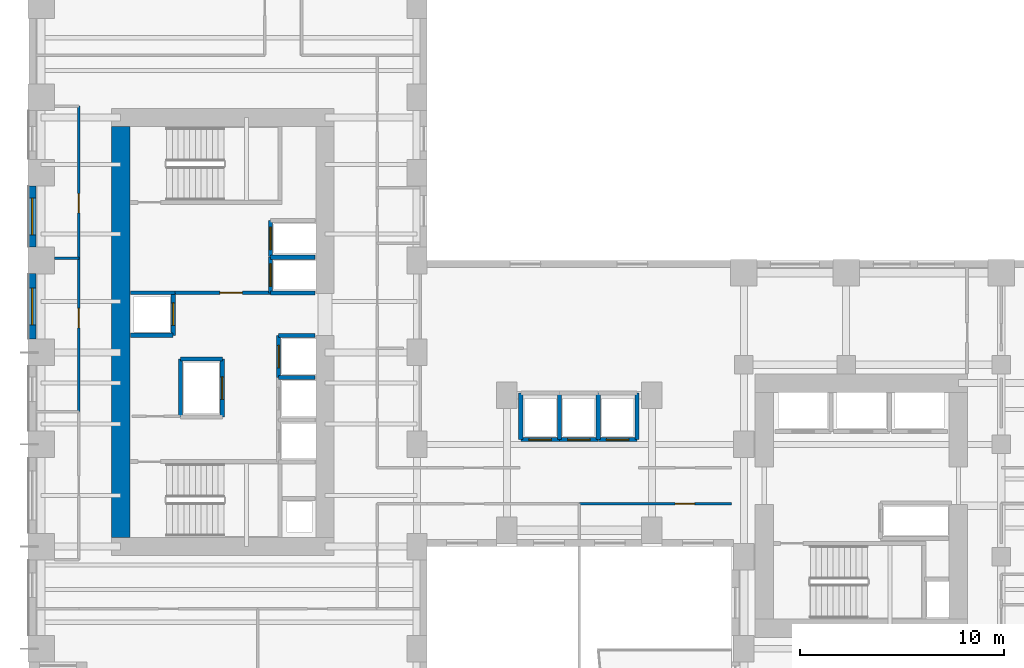
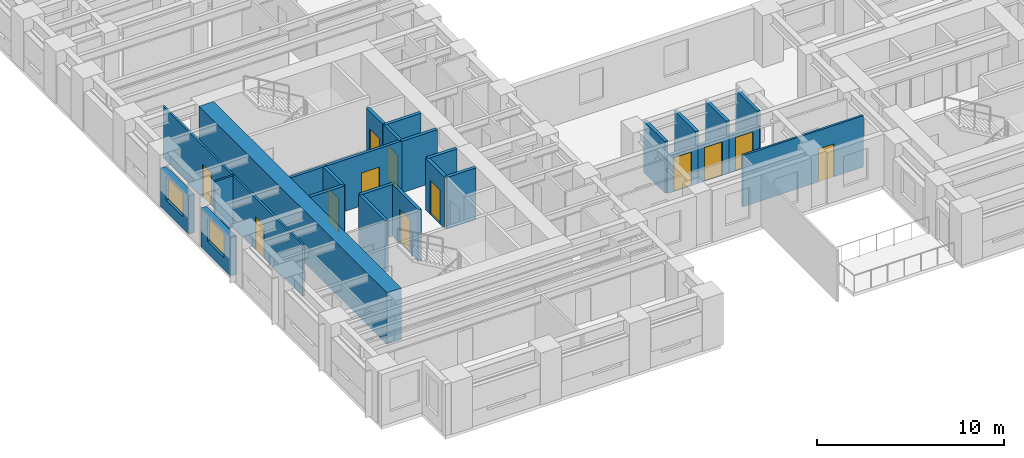
# One storey, part 5 of 13: 28 walls, 12 doors, 2 windows, 14 openings.
"""IFC4 building model written with IfcOpenShell, lengths in metres."""

from ifc_helpers import new_model, si_unit, direction, frame, frame_2d, origin, place, context, subcontext, project, spatial, rectangle, extrude, source, transform, mapped, material, layer, layer_set, type_object, element, fill, save


model = new_model("IFC4")

# Units and contexts
model_context = context("Model", 3, precision=1e-05, world=origin(), true_north=direction((0.0, 1.0)))
body_context = subcontext(model_context, "Body", "Model", "MODEL_VIEW")
ifc_project = project(units=[si_unit("LENGTHUNIT", "METRE"), si_unit("AREAUNIT", "SQUARE_METRE"), si_unit("VOLUMEUNIT", "CUBIC_METRE"), si_unit("PLANEANGLEUNIT", "RADIAN"), si_unit("MASSUNIT", "GRAM", prefix="KILO")], contexts=[model_context])

# Site, building, storey
site_placement = place(None, origin())
site = spatial("IfcSite", under=ifc_project, at=site_placement, CompositionType="ELEMENT")
building_placement = place(site_placement, origin())
building = spatial("IfcBuilding", under=site, at=building_placement, Name="Kharzan Plaza Tower", CompositionType="ELEMENT")
storey_placement = place(building_placement, frame((0.0, 0.0, 47.699951171875)))
storey = spatial("IfcBuildingStorey", under=building, at=storey_placement, Name="L12", CompositionType="ELEMENT", Elevation=47.699951171875)

# Wall, opening, window
ifc_material_1 = material(Name="Concrete C40/50", Category="concrete")
ifc_layer_1 = layer(ifc_material_1, 0.35009765625)
ifc_layer_set_1 = layer_set([ifc_layer_1], Name="Concrete C40/50")
wall_type_1 = type_object("IfcWallType", Name="WL-EXT-MAS-Z1", PredefinedType="SOLIDWALL", material=ifc_layer_set_1)
wall_1_placement = place(storey_placement, frame((0.175048828125, 26.152099609375, 0.0), z_axis=(0.0, 0.0, 1.0), x_axis=(0.0, -1.0, 0.0)))
wall_1 = element("IfcWall", 1, at=wall_1_placement, inside=storey, type_object=wall_type_1, Name="L12 Masonry-Frame Exterior Wall 15", PredefinedType="SOLIDWALL", context=body_context, shape_type="SweptSolid", body=[
    extrude(rectangle(XDim=3.004150390625, YDim=0.35009765625, at=frame_2d((1.501953125, 0.0))), origin(), (0.0, 0.0, 1.0), 2.510009765625),
])
opening_1_placement = place(wall_1_placement, frame((0.60205078125, 0.0, 0.780029296875)))
opening_1 = element("IfcOpeningElement", 2, at=opening_1_placement, cuts=wall_1, Name="Opening W1", PredefinedType="OPENING", context=body_context, shape_type="SweptSolid", body=[
    extrude(rectangle(XDim=1.800048828125, YDim=1.550048828125, at=frame_2d((0.89990234375, 0.77490234375))), frame((0.0, 0.18505859375, 0.0), z_axis=(0.0, -1.0, 0.0), x_axis=(1.0, 0.0, 0.0)), (0.0, 0.0, 1.0), 0.3701171875),
])
ifc_material_2 = material(Name="Low-E Double Glazing", Category="glass")
window_type = type_object("IfcWindowType", Name="WN-REC-1800x2100", PartitioningType="SINGLE_PANEL", PredefinedType="WINDOW", material=ifc_material_2)
shared_shape_1 = source(origin(), body_context, "Body", "SweptSolid", [
    extrude(rectangle(XDim=1.800048828125, YDim=1.550048828125, at=frame_2d((0.89990234375, 0.77490234375))), frame((0.0, 0.030029296875, 0.0), z_axis=(0.0, -1.0, 0.0), x_axis=(1.0, 0.0, 0.0)), (0.0, 0.0, 1.0), 0.06005859375),
])
window_1_placement = place(opening_1_placement, origin())
window_1 = element("IfcWindow", 3, at=window_1_placement, inside=storey, type_object=window_type, Name="L12 Recessed Solar-Control Window 15-1", OverallHeight=1.550048828125, OverallWidth=1.800048828125, PartitioningType="SINGLE_PANEL", PredefinedType="WINDOW", context=body_context, shape_type="MappedRepresentation", body=[
    mapped(shared_shape_1, transform((0.0, 0.0, 0.0), x_axis=(1.0, 0.0, 0.0), y_axis=(0.0, 1.0, 0.0), z_axis=(0.0, 0.0, 1.0))),
])
fill(opening_1, window_1)

wall_2_placement = place(storey_placement, frame((0.175048828125, 21.85205078125, 0.0), z_axis=(0.0, 0.0, 1.0), x_axis=(0.0, -1.0, 0.0)))
wall_2 = element("IfcWall", 4, at=wall_2_placement, inside=storey, type_object=wall_type_1, Name="L12 Masonry-Frame Exterior Wall 16", PredefinedType="SOLIDWALL", context=body_context, shape_type="SweptSolid", body=[
    extrude(rectangle(XDim=3.2041015625, YDim=0.35009765625, at=frame_2d((1.60205078125, 0.0))), origin(), (0.0, 0.0, 1.0), 2.510009765625),
])
opening_2_placement = place(wall_2_placement, frame((0.701904296875, 0.0, 0.780029296875)))
opening_2 = element("IfcOpeningElement", 5, at=opening_2_placement, cuts=wall_2, Name="Opening W1", PredefinedType="OPENING", context=body_context, shape_type="SweptSolid", body=[
    extrude(rectangle(XDim=1.800048828125, YDim=1.550048828125, at=frame_2d((0.89990234375, 0.77490234375))), frame((0.0, 0.18505859375, 0.0), z_axis=(0.0, -1.0, 0.0), x_axis=(1.0, 0.0, 0.0)), (0.0, 0.0, 1.0), 0.3701171875),
])
window_2_placement = place(opening_2_placement, origin())
window_2 = element("IfcWindow", 6, at=window_2_placement, inside=storey, type_object=window_type, Name="L12 Recessed Solar-Control Window 16-1", OverallHeight=1.550048828125, OverallWidth=1.800048828125, PartitioningType="SINGLE_PANEL", PredefinedType="WINDOW", context=body_context, shape_type="MappedRepresentation", body=[
    mapped(shared_shape_1, transform((0.0, 0.0, 0.0), x_axis=(1.0, 0.0, 0.0), y_axis=(0.0, 1.0, 0.0), z_axis=(0.0, 0.0, 1.0))),
])
fill(opening_2, window_2)

# Wall, opening, door
ifc_layer_2 = layer(ifc_material_1, 0.179931640625)
ifc_layer_set_2 = layer_set([ifc_layer_2], Name="Concrete C40/50")
wall_type_2 = type_object("IfcWallType", Name="WL-INT-FIRE-180", PredefinedType="PARTITIONING", material=ifc_layer_set_2)
wall_3_placement = place(storey_placement, frame((7.14990234375, 20.919921875, 0.0), z_axis=(0.0, 0.0, 1.0), x_axis=(1.0, 0.0, 0.0)))
wall_3 = element("IfcWall", 7, at=wall_3_placement, inside=storey, type_object=wall_type_2, Name="L12 Interior Partition CA-FF-S", PredefinedType="PARTITIONING", context=body_context, shape_type="SweptSolid", body=[
    extrude(rectangle(XDim=4.68017578125, YDim=0.179931640625, at=frame_2d((2.340087890625, 0.0))), origin(), (0.0, 0.0, 1.0), 3.364990234375),
])
opening_3_placement = place(wall_3_placement, frame((2.199951171875, 0.0, 0.0)))
opening_3 = element("IfcOpeningElement", 8, at=opening_3_placement, cuts=wall_3, Name="Opening FD1", PredefinedType="OPENING", context=body_context, shape_type="SweptSolid", body=[
    extrude(rectangle(XDim=1.10009765625, YDim=2.14990234375, at=frame_2d((0.550048828125, 1.074951171875))), frame((0.0, 0.099853515625, 0.0), z_axis=(0.0, -1.0, 0.0), x_axis=(1.0, 0.0, 0.0)), (0.0, 0.0, 1.0), 0.199951171875),
])
ifc_material_3 = material(Name="Fire-Rated Acoustic Vision-Panel Steel", Category="steel")
door_type_1 = type_object("IfcDoorType", Name="DR-FIRE-LOBBY", OperationType="NOTDEFINED", PredefinedType="DOOR", material=ifc_material_3)
shared_shape_2 = source(origin(), body_context, "Body", "SweptSolid", [
    extrude(rectangle(XDim=1.10009765625, YDim=2.14990234375, at=frame_2d((0.550048828125, 1.074951171875))), frame((0.0, 0.02490234375, 0.0), z_axis=(0.0, -1.0, 0.0), x_axis=(1.0, 0.0, 0.0)), (0.0, 0.0, 1.0), 0.050048828125),
])
door_1_placement = place(opening_3_placement, origin())
door_1 = element("IfcDoor", 9, at=door_1_placement, inside=storey, type_object=door_type_1, Name="L12 Firefighting Lobby Door", OperationType="SINGLE_SWING_RIGHT", OverallHeight=2.14990234375, OverallWidth=1.10009765625, PredefinedType="DOOR", context=body_context, shape_type="MappedRepresentation", body=[
    mapped(shared_shape_2, transform((0.0, 0.0, 0.0), x_axis=(1.0, 0.0, 0.0), y_axis=(0.0, 1.0, 0.0), z_axis=(0.0, 0.0, 1.0))),
])
fill(opening_3, door_1)

ifc_material_4 = material(Name="Fire-Rated Gypsum Board Partition", Category="gypsum")
ifc_layer_3 = layer(ifc_material_4, 0.125)
ifc_layer_set_3 = layer_set([ifc_layer_3], Name="Fire-Rated Gypsum Board Partition")
wall_type_3 = type_object("IfcWallType", Name="WL-INT-PART-125", PredefinedType="PARTITIONING", material=ifc_layer_set_3)
wall_4_placement = place(storey_placement, frame((26.949951171875, 10.60009765625, 0.0), z_axis=(0.0, 0.0, 1.0), x_axis=(1.0, 0.0, 0.0)))
wall_4 = element("IfcWall", 10, at=wall_4_placement, inside=storey, type_object=wall_type_3, Name="L12 Interior Partition SH-SPS2", PredefinedType="PARTITIONING", context=body_context, shape_type="SweptSolid", body=[
    extrude(rectangle(XDim=7.449951171875, YDim=0.125, at=frame_2d((3.72509765625, 0.0))), origin(), (0.0, 0.0, 1.0), 3.364990234375),
])
opening_4_placement = place(wall_4_placement, frame((4.6826171875, 0.0, 0.0)))
opening_4 = element("IfcOpeningElement", 11, at=opening_4_placement, cuts=wall_4, Name="Opening OD1", PredefinedType="OPENING", context=body_context, shape_type="SweptSolid", body=[
    extrude(rectangle(XDim=0.949951171875, YDim=2.14990234375, at=frame_2d((0.47509765625, 1.074951171875))), frame((0.0, 0.072509765625, 0.0), z_axis=(0.0, -1.0, 0.0), x_axis=(1.0, 0.0, 0.0)), (0.0, 0.0, 1.0), 0.14501953125),
])
ifc_material_5 = material(Name="Acoustic Solid-Core Stained Oak", Category="timber")
door_type_2 = type_object("IfcDoorType", Name="DR-OFF-SINGLE", OperationType="NOTDEFINED", PredefinedType="DOOR", material=ifc_material_5)
shared_shape_3 = source(origin(), body_context, "Body", "SweptSolid", [
    extrude(rectangle(XDim=0.949951171875, YDim=2.14990234375, at=frame_2d((0.47509765625, 1.074951171875))), frame((0.0, 0.02490234375, 0.0), z_axis=(0.0, -1.0, 0.0), x_axis=(1.0, 0.0, 0.0)), (0.0, 0.0, 1.0), 0.050048828125),
])
door_2_placement = place(opening_4_placement, origin())
door_2 = element("IfcDoor", 12, at=door_2_placement, inside=storey, type_object=door_type_2, Name="L12 South Spine East Door", OperationType="SINGLE_SWING_RIGHT", OverallHeight=2.14990234375, OverallWidth=0.949951171875, PredefinedType="DOOR", context=body_context, shape_type="MappedRepresentation", body=[
    mapped(shared_shape_3, transform((0.0, 0.0, 0.0), x_axis=(1.0, 0.0, 0.0), y_axis=(0.0, 1.0, 0.0), z_axis=(0.0, 0.0, 1.0))),
])
fill(opening_4, door_2)

wall_5_placement = place(storey_placement, frame((2.449951171875, 15.10009765625, 0.0), z_axis=(0.0, 0.0, 1.0), x_axis=(0.0, 1.0, 0.0)))
wall_5 = element("IfcWall", 13, at=wall_5_placement, inside=storey, type_object=wall_type_3, Name="L12 Interior Partition SH-WW-2", PredefinedType="PARTITIONING", context=body_context, shape_type="SweptSolid", body=[
    extrude(rectangle(XDim=7.5, YDim=0.125, at=frame_2d((3.75, 0.0))), origin(), (0.0, 0.0, 1.0), 3.364990234375),
])
opening_5_placement = place(wall_5_placement, frame((4.100341796875, 0.0, 0.0)))
opening_5 = element("IfcOpeningElement", 14, at=opening_5_placement, cuts=wall_5, Name="Opening OD1", PredefinedType="OPENING", context=body_context, shape_type="SweptSolid", body=[
    extrude(rectangle(XDim=0.949951171875, YDim=2.14990234375, at=frame_2d((0.47509765625, 1.074951171875))), frame((0.0, 0.072509765625, 0.0), z_axis=(0.0, -1.0, 0.0), x_axis=(1.0, 0.0, 0.0)), (0.0, 0.0, 1.0), 0.14501953125),
])
door_3_placement = place(opening_5_placement, origin())
door_3 = element("IfcDoor", 15, at=door_3_placement, inside=storey, type_object=door_type_2, Name="L12 Project Controls Office Door", OperationType="SINGLE_SWING_RIGHT", OverallHeight=2.14990234375, OverallWidth=0.949951171875, PredefinedType="DOOR", context=body_context, shape_type="MappedRepresentation", body=[
    mapped(shared_shape_3, transform((0.0, 0.0, 0.0), x_axis=(1.0, 0.0, 0.0), y_axis=(0.0, 1.0, 0.0), z_axis=(0.0, 0.0, 1.0))),
])
fill(opening_5, door_3)

wall_6_placement = place(storey_placement, frame((2.449951171875, 22.60009765625, 0.0), z_axis=(0.0, 0.0, 1.0), x_axis=(0.0, 1.0, 0.0)))
wall_6 = element("IfcWall", 16, at=wall_6_placement, inside=storey, type_object=wall_type_3, Name="L12 Interior Partition SH-WW-3", PredefinedType="PARTITIONING", context=body_context, shape_type="SweptSolid", body=[
    extrude(rectangle(XDim=7.449951171875, YDim=0.125, at=frame_2d((3.72509765625, 0.0))), origin(), (0.0, 0.0, 1.0), 3.364990234375),
])
opening_6_placement = place(wall_6_placement, frame((2.226806640625, 0.0, 0.0)))
opening_6 = element("IfcOpeningElement", 17, at=opening_6_placement, cuts=wall_6, Name="Opening OD1", PredefinedType="OPENING", context=body_context, shape_type="SweptSolid", body=[
    extrude(rectangle(XDim=0.949951171875, YDim=2.14990234375, at=frame_2d((0.47509765625, 1.074951171875))), frame((0.0, 0.072509765625, 0.0), z_axis=(0.0, -1.0, 0.0), x_axis=(1.0, 0.0, 0.0)), (0.0, 0.0, 1.0), 0.14501953125),
])
door_4_placement = place(opening_6_placement, origin())
door_4 = element("IfcDoor", 18, at=door_4_placement, inside=storey, type_object=door_type_2, Name="L12 Design Review Briefing Room Door", OperationType="SINGLE_SWING_LEFT", OverallHeight=2.14990234375, OverallWidth=0.949951171875, PredefinedType="DOOR", context=body_context, shape_type="MappedRepresentation", body=[
    mapped(shared_shape_3, transform((0.0, 0.0, 0.0), x_axis=(1.0, 0.0, 0.0), y_axis=(0.0, 1.0, 0.0), z_axis=(0.0, 0.0, 1.0))),
])
fill(opening_6, door_4)

ifc_layer_4 = layer(ifc_material_1, 0.199951171875)
ifc_layer_set_4 = layer_set([ifc_layer_4], Name="Concrete C40/50")
wall_type_4 = type_object("IfcWallType", Name="WL-INT-SHAFT-200", PredefinedType="PARTITIONING", material=ifc_layer_set_4)
wall_7_placement = place(storey_placement, frame((11.830078125, 20.89990234375, 0.0), z_axis=(0.0, 0.0, 1.0), x_axis=(0.0, 1.0, 0.0)))
wall_7 = element("IfcWall", 19, at=wall_7_placement, inside=storey, type_object=wall_type_4, Name="L12 Interior Partition SHF-FFL-1-W", PredefinedType="PARTITIONING", context=body_context, shape_type="SweptSolid", body=[
    extrude(rectangle(XDim=1.760009765625, YDim=0.199951171875, at=frame_2d((0.8798828125, 0.0))), origin(), (0.0, 0.0, 1.0), 3.364990234375),
])
opening_7_placement = place(wall_7_placement, frame((0.330078125, 0.0, 0.0)))
opening_7 = element("IfcOpeningElement", 20, at=opening_7_placement, cuts=wall_7, Name="Opening LD", PredefinedType="OPENING", context=body_context, shape_type="SweptSolid", body=[
    extrude(rectangle(XDim=1.10009765625, YDim=2.199951171875, at=frame_2d((0.550048828125, 1.10009765625))), frame((0.0, 0.10986328125, 0.0), z_axis=(0.0, -1.0, 0.0), x_axis=(1.0, 0.0, 0.0)), (0.0, 0.0, 1.0), 0.219970703125),
])
ifc_material_6 = material(Name="Brushed Stainless Steel", Category="steel")
door_type_3 = type_object("IfcDoorType", Name="DR-LIFT-SLIDE", OperationType="SLIDING_TO_LEFT", PredefinedType="DOOR", material=ifc_material_6)
shared_shape_4 = source(origin(), body_context, "Body", "SweptSolid", [
    extrude(rectangle(XDim=1.10009765625, YDim=2.199951171875, at=frame_2d((0.550048828125, 1.10009765625))), frame((0.0, 0.02490234375, 0.0), z_axis=(0.0, -1.0, 0.0), x_axis=(1.0, 0.0, 0.0)), (0.0, 0.0, 1.0), 0.050048828125),
])
door_5_placement = place(opening_7_placement, origin())
door_5 = element("IfcDoor", 21, at=door_5_placement, inside=storey, type_object=door_type_3, Name="L12 Firefighting Lift FFL-1 Sliding Landing Door", OperationType="SLIDING_TO_LEFT", OverallHeight=2.199951171875, OverallWidth=1.10009765625, PredefinedType="DOOR", context=body_context, shape_type="MappedRepresentation", body=[
    mapped(shared_shape_4, transform((0.0, 0.0, 0.0), x_axis=(1.0, 0.0, 0.0), y_axis=(0.0, 1.0, 0.0), z_axis=(0.0, 0.0, 1.0))),
])
fill(opening_7, door_5)

wall_8_placement = place(storey_placement, frame((11.830078125, 22.699951171875, 0.0), z_axis=(0.0, 0.0, 1.0), x_axis=(0.0, 1.0, 0.0)))
wall_8 = element("IfcWall", 22, at=wall_8_placement, inside=storey, type_object=wall_type_4, Name="L12 Interior Partition SHF-FFL-2-W", PredefinedType="PARTITIONING", context=body_context, shape_type="SweptSolid", body=[
    extrude(rectangle(XDim=1.760009765625, YDim=0.199951171875, at=frame_2d((0.8798828125, 0.0))), origin(), (0.0, 0.0, 1.0), 3.364990234375),
])
opening_8_placement = place(wall_8_placement, frame((0.330078125, 0.0, 0.0)))
opening_8 = element("IfcOpeningElement", 23, at=opening_8_placement, cuts=wall_8, Name="Opening LD", PredefinedType="OPENING", context=body_context, shape_type="SweptSolid", body=[
    extrude(rectangle(XDim=1.10009765625, YDim=2.199951171875, at=frame_2d((0.550048828125, 1.10009765625))), frame((0.0, 0.10986328125, 0.0), z_axis=(0.0, -1.0, 0.0), x_axis=(1.0, 0.0, 0.0)), (0.0, 0.0, 1.0), 0.219970703125),
])
door_6_placement = place(opening_8_placement, origin())
door_6 = element("IfcDoor", 24, at=door_6_placement, inside=storey, type_object=door_type_3, Name="L12 Firefighting Lift FFL-2 Sliding Landing Door", OperationType="SLIDING_TO_LEFT", OverallHeight=2.199951171875, OverallWidth=1.10009765625, PredefinedType="DOOR", context=body_context, shape_type="MappedRepresentation", body=[
    mapped(shared_shape_4, transform((0.0, 0.0, 0.0), x_axis=(1.0, 0.0, 0.0), y_axis=(0.0, 1.0, 0.0), z_axis=(0.0, 0.0, 1.0))),
])
fill(opening_8, door_6)

wall_9_placement = place(storey_placement, frame((12.22998046875, 16.77001953125, 0.0), z_axis=(0.0, 0.0, 1.0), x_axis=(0.0, 1.0, 0.0)))
wall_9 = element("IfcWall", 25, at=wall_9_placement, inside=storey, type_object=wall_type_4, Name="L12 Interior Partition SHF-PL-H3-W", PredefinedType="PARTITIONING", context=body_context, shape_type="SweptSolid", body=[
    extrude(rectangle(XDim=2.050048828125, YDim=0.199951171875, at=frame_2d((1.02490234375, 0.0))), origin(), (0.0, 0.0, 1.0), 3.364990234375),
])
opening_9_placement = place(wall_9_placement, frame((0.47509765625, 0.0, 0.0)))
opening_9 = element("IfcOpeningElement", 26, at=opening_9_placement, cuts=wall_9, Name="Opening LD", PredefinedType="OPENING", context=body_context, shape_type="SweptSolid", body=[
    extrude(rectangle(XDim=1.10009765625, YDim=2.199951171875, at=frame_2d((0.550048828125, 1.10009765625))), frame((0.0, 0.10986328125, 0.0), z_axis=(0.0, -1.0, 0.0), x_axis=(1.0, 0.0, 0.0)), (0.0, 0.0, 1.0), 0.219970703125),
])
door_7_placement = place(opening_9_placement, origin())
door_7 = element("IfcDoor", 27, at=door_7_placement, inside=storey, type_object=door_type_3, Name="L12 High-Rise Passenger Lift PL-H3 Sliding Landing Door", OperationType="SLIDING_TO_LEFT", OverallHeight=2.199951171875, OverallWidth=1.10009765625, PredefinedType="DOOR", context=body_context, shape_type="MappedRepresentation", body=[
    mapped(shared_shape_4, transform((0.0, 0.0, 0.0), x_axis=(1.0, 0.0, 0.0), y_axis=(0.0, 1.0, 0.0), z_axis=(0.0, 0.0, 1.0))),
])
fill(opening_9, door_7)

wall_10_placement = place(storey_placement, frame((7.070068359375, 18.840087890625, 0.0), z_axis=(0.0, 0.0, 1.0), x_axis=(0.0, 1.0, 0.0)))
wall_10 = element("IfcWall", 28, at=wall_10_placement, inside=storey, type_object=wall_type_4, Name="L12 Interior Partition SHF-PL-H4-E", PredefinedType="PARTITIONING", context=body_context, shape_type="SweptSolid", body=[
    extrude(rectangle(XDim=2.059814453125, YDim=0.199951171875, at=frame_2d((1.02978515625, 0.0))), origin(), (0.0, 0.0, 1.0), 3.364990234375),
])
opening_10_placement = place(wall_10_placement, frame((0.47998046875, 0.0, 0.0)))
opening_10 = element("IfcOpeningElement", 29, at=opening_10_placement, cuts=wall_10, Name="Opening LD", PredefinedType="OPENING", context=body_context, shape_type="SweptSolid", body=[
    extrude(rectangle(XDim=1.10009765625, YDim=2.199951171875, at=frame_2d((0.550048828125, 1.10009765625))), frame((0.0, 0.10986328125, 0.0), z_axis=(0.0, -1.0, 0.0), x_axis=(1.0, 0.0, 0.0)), (0.0, 0.0, 1.0), 0.219970703125),
])
door_8_placement = place(opening_10_placement, origin())
door_8 = element("IfcDoor", 30, at=door_8_placement, inside=storey, type_object=door_type_3, Name="L12 High-Rise Passenger Lift PL-H4 Sliding Landing Door", OperationType="SLIDING_TO_LEFT", OverallHeight=2.199951171875, OverallWidth=1.10009765625, PredefinedType="DOOR", context=body_context, shape_type="MappedRepresentation", body=[
    mapped(shared_shape_4, transform((0.0, 0.0, 0.0), x_axis=(1.0, 0.0, 0.0), y_axis=(0.0, 1.0, 0.0), z_axis=(0.0, 0.0, 1.0))),
])
fill(opening_10, door_8)

wall_11_placement = place(storey_placement, frame((24.080078125, 13.72998046875, 0.0), z_axis=(0.0, 0.0, 1.0), x_axis=(1.0, 0.0, 0.0)))
wall_11 = element("IfcWall", 31, at=wall_11_placement, inside=storey, type_object=wall_type_4, Name="L12 Interior Partition SHF-PL-M1-S", PredefinedType="PARTITIONING", context=body_context, shape_type="SweptSolid", body=[
    extrude(rectangle(XDim=1.889892578125, YDim=0.199951171875, at=frame_2d((0.94482421875, 0.0))), origin(), (0.0, 0.0, 1.0), 2.446044921875),
])
opening_11_placement = place(wall_11_placement, frame((0.39501953125, 0.0, 0.0)))
opening_11 = element("IfcOpeningElement", 32, at=opening_11_placement, cuts=wall_11, Name="Opening LD", PredefinedType="OPENING", context=body_context, shape_type="SweptSolid", body=[
    extrude(rectangle(XDim=1.10009765625, YDim=2.199951171875, at=frame_2d((0.550048828125, 1.10009765625))), frame((0.0, 0.10986328125, 0.0), z_axis=(0.0, -1.0, 0.0), x_axis=(1.0, 0.0, 0.0)), (0.0, 0.0, 1.0), 0.219970703125),
])
door_9_placement = place(opening_11_placement, origin())
door_9 = element("IfcDoor", 33, at=door_9_placement, inside=storey, type_object=door_type_3, Name="L12 Mid-Rise Passenger Lift PL-M1 Sliding Landing Door", OperationType="SLIDING_TO_LEFT", OverallHeight=2.199951171875, OverallWidth=1.10009765625, PredefinedType="DOOR", context=body_context, shape_type="MappedRepresentation", body=[
    mapped(shared_shape_4, transform((0.0, 0.0, 0.0), x_axis=(1.0, 0.0, 0.0), y_axis=(0.0, 1.0, 0.0), z_axis=(0.0, 0.0, 1.0))),
])
fill(opening_11, door_9)

wall_12_placement = place(storey_placement, frame((25.97998046875, 13.72998046875, 0.0), z_axis=(0.0, 0.0, 1.0), x_axis=(1.0, 0.0, 0.0)))
wall_12 = element("IfcWall", 34, at=wall_12_placement, inside=storey, type_object=wall_type_4, Name="L12 Interior Partition SHF-PL-M2-S", PredefinedType="PARTITIONING", context=body_context, shape_type="SweptSolid", body=[
    extrude(rectangle(XDim=1.89013671875, YDim=0.199951171875, at=frame_2d((0.945068359375, 0.0))), origin(), (0.0, 0.0, 1.0), 2.446044921875),
])
opening_12_placement = place(wall_12_placement, frame((0.39501953125, 0.0, 0.0)))
opening_12 = element("IfcOpeningElement", 35, at=opening_12_placement, cuts=wall_12, Name="Opening LD", PredefinedType="OPENING", context=body_context, shape_type="SweptSolid", body=[
    extrude(rectangle(XDim=1.10009765625, YDim=2.199951171875, at=frame_2d((0.550048828125, 1.10009765625))), frame((0.0, 0.10986328125, 0.0), z_axis=(0.0, -1.0, 0.0), x_axis=(1.0, 0.0, 0.0)), (0.0, 0.0, 1.0), 0.219970703125),
])
door_10_placement = place(opening_12_placement, origin())
door_10 = element("IfcDoor", 36, at=door_10_placement, inside=storey, type_object=door_type_3, Name="L12 Mid-Rise Passenger Lift PL-M2 Sliding Landing Door", OperationType="SLIDING_TO_LEFT", OverallHeight=2.199951171875, OverallWidth=1.10009765625, PredefinedType="DOOR", context=body_context, shape_type="MappedRepresentation", body=[
    mapped(shared_shape_4, transform((0.0, 0.0, 0.0), x_axis=(1.0, 0.0, 0.0), y_axis=(0.0, 1.0, 0.0), z_axis=(0.0, 0.0, 1.0))),
])
fill(opening_12, door_10)

wall_13_placement = place(storey_placement, frame((27.8798828125, 13.72998046875, 0.0), z_axis=(0.0, 0.0, 1.0), x_axis=(1.0, 0.0, 0.0)))
wall_13 = element("IfcWall", 37, at=wall_13_placement, inside=storey, type_object=wall_type_4, Name="L12 Interior Partition SHF-PL-M3-S", PredefinedType="PARTITIONING", context=body_context, shape_type="SweptSolid", body=[
    extrude(rectangle(XDim=1.89013671875, YDim=0.199951171875, at=frame_2d((0.945068359375, 0.0))), origin(), (0.0, 0.0, 1.0), 2.446044921875),
])
opening_13_placement = place(wall_13_placement, frame((0.39501953125, 0.0, 0.0)))
opening_13 = element("IfcOpeningElement", 38, at=opening_13_placement, cuts=wall_13, Name="Opening LD", PredefinedType="OPENING", context=body_context, shape_type="SweptSolid", body=[
    extrude(rectangle(XDim=1.10009765625, YDim=2.199951171875, at=frame_2d((0.550048828125, 1.10009765625))), frame((0.0, 0.10986328125, 0.0), z_axis=(0.0, -1.0, 0.0), x_axis=(1.0, 0.0, 0.0)), (0.0, 0.0, 1.0), 0.219970703125),
])
door_11_placement = place(opening_13_placement, origin())
door_11 = element("IfcDoor", 39, at=door_11_placement, inside=storey, type_object=door_type_3, Name="L12 Mid-Rise Passenger Lift PL-M3 Sliding Landing Door", OperationType="SLIDING_TO_LEFT", OverallHeight=2.199951171875, OverallWidth=1.10009765625, PredefinedType="DOOR", context=body_context, shape_type="MappedRepresentation", body=[
    mapped(shared_shape_4, transform((0.0, 0.0, 0.0), x_axis=(1.0, 0.0, 0.0), y_axis=(0.0, 1.0, 0.0), z_axis=(0.0, 0.0, 1.0))),
])
fill(opening_13, door_11)

wall_14_placement = place(storey_placement, frame((9.469970703125, 14.830078125, 0.0), z_axis=(0.0, 0.0, 1.0), x_axis=(0.0, 1.0, 0.0)))
wall_14 = element("IfcWall", 40, at=wall_14_placement, inside=storey, type_object=wall_type_4, Name="L12 Interior Partition SHF-SVL-1-E", PredefinedType="PARTITIONING", context=body_context, shape_type="SweptSolid", body=[
    extrude(rectangle(XDim=2.83984375, YDim=0.199951171875, at=frame_2d((1.419921875, 0.0))), origin(), (0.0, 0.0, 1.0), 3.364990234375),
])
opening_14_placement = place(wall_14_placement, frame((0.8701171875, 0.0, 0.0)))
opening_14 = element("IfcOpeningElement", 41, at=opening_14_placement, cuts=wall_14, Name="Opening LD", PredefinedType="OPENING", context=body_context, shape_type="SweptSolid", body=[
    extrude(rectangle(XDim=1.10009765625, YDim=2.199951171875, at=frame_2d((0.550048828125, 1.10009765625))), frame((0.0, 0.10986328125, 0.0), z_axis=(0.0, -1.0, 0.0), x_axis=(1.0, 0.0, 0.0)), (0.0, 0.0, 1.0), 0.219970703125),
])
door_12_placement = place(opening_14_placement, origin())
door_12 = element("IfcDoor", 42, at=door_12_placement, inside=storey, type_object=door_type_3, Name="L12 Service Lift SVL-1 Sliding Landing Door", OperationType="SLIDING_TO_LEFT", OverallHeight=2.199951171875, OverallWidth=1.10009765625, PredefinedType="DOOR", context=body_context, shape_type="MappedRepresentation", body=[
    mapped(shared_shape_4, transform((0.0, 0.0, 0.0), x_axis=(1.0, 0.0, 0.0), y_axis=(0.0, 1.0, 0.0), z_axis=(0.0, 0.0, 1.0))),
])
fill(opening_14, door_12)

# Walls
shared_shape_5 = source(origin(), body_context, "Body", "SweptSolid", [
    extrude(rectangle(XDim=2.169921875, YDim=0.179931640625, at=frame_2d((1.0849609375, 0.0))), origin(), (0.0, 0.0, 1.0), 3.364990234375),
])
wall_15_placement = place(storey_placement, frame((4.97998046875, 20.919921875, 0.0), z_axis=(0.0, 0.0, 1.0), x_axis=(1.0, 0.0, 0.0)))
element("IfcWall", 43, at=wall_15_placement, inside=storey, type_object=wall_type_2, Name="L12 Interior Partition CA-FF-SW", PredefinedType="PARTITIONING", context=body_context, shape_type="MappedRepresentation", body=[
    mapped(shared_shape_5, transform((0.0, 0.0, 0.0), x_axis=(1.0, 0.0, 0.0), y_axis=(0.0, 1.0, 0.0), z_axis=(0.0, 0.0, 1.0))),
])
shared_shape_6 = source(origin(), body_context, "Body", "SweptSolid", [
    extrude(rectangle(XDim=1.18994140625, YDim=0.125, at=frame_2d((0.594970703125, 0.0))), origin(), (0.0, 0.0, 1.0), 3.364990234375),
])
wall_16_placement = place(storey_placement, frame((1.260009765625, 22.60009765625, 0.0), z_axis=(0.0, 0.0, 1.0), x_axis=(1.0, 0.0, 0.0)))
element("IfcWall", 44, at=wall_16_placement, inside=storey, type_object=wall_type_3, Name="L12 Interior Partition SH-WH-2", PredefinedType="PARTITIONING", context=body_context, shape_type="MappedRepresentation", body=[
    mapped(shared_shape_6, transform((0.0, 0.0, 0.0), x_axis=(1.0, 0.0, 0.0), y_axis=(0.0, 1.0, 0.0), z_axis=(0.0, 0.0, 1.0))),
])
shared_shape_7 = source(origin(), body_context, "Body", "SweptSolid", [
    extrude(rectangle(XDim=2.18994140625, YDim=0.199951171875, at=frame_2d((1.094970703125, 0.0))), origin(), (0.0, 0.0, 1.0), 3.364990234375),
])
for number, where, z_axis, x_axis, name in (
    (45, (11.830078125, 22.659912109375, 0.0), (0.0, 0.0, 1.0), (1.0, 0.0, 0.0), "L12 Interior Partition SHF-FFL-1-N"),
    (46, (11.830078125, 20.89990234375, 0.0), (0.0, 0.0, 1.0), (1.0, 0.0, 0.0), "L12 Interior Partition SHF-FFL-1-S"),
):
    element("IfcWall", number, at=place(storey_placement, frame(where, z_axis=z_axis, x_axis=x_axis)), inside=storey, type_object=wall_type_4, Name=name, PredefinedType="PARTITIONING", context=body_context, shape_type="MappedRepresentation", body=[
        mapped(shared_shape_7, transform((0.0, 0.0, 0.0), x_axis=(1.0, 0.0, 0.0), y_axis=(0.0, 1.0, 0.0), z_axis=(0.0, 0.0, 1.0))),
    ])
shared_shape_8 = source(origin(), body_context, "Body", "SweptSolid", [
    extrude(rectangle(XDim=1.7900390625, YDim=0.199951171875, at=frame_2d((0.89501953125, 0.0))), origin(), (0.0, 0.0, 1.0), 3.364990234375),
])
for number, where, z_axis, x_axis, name in (
    (47, (12.22998046875, 16.77001953125, 0.0), (0.0, 0.0, 1.0), (1.0, 0.0, 0.0), "L12 Interior Partition SHF-PL-H2-N"),
    (48, (12.22998046875, 18.820068359375, 0.0), (0.0, 0.0, 1.0), (1.0, 0.0, 0.0), "L12 Interior Partition SHF-PL-H3-N"),
):
    element("IfcWall", number, at=place(storey_placement, frame(where, z_axis=z_axis, x_axis=x_axis)), inside=storey, type_object=wall_type_4, Name=name, PredefinedType="PARTITIONING", context=body_context, shape_type="MappedRepresentation", body=[
        mapped(shared_shape_8, transform((0.0, 0.0, 0.0), x_axis=(1.0, 0.0, 0.0), y_axis=(0.0, 1.0, 0.0), z_axis=(0.0, 0.0, 1.0))),
    ])
shared_shape_9 = source(origin(), body_context, "Body", "SweptSolid", [
    extrude(rectangle(XDim=2.090087890625, YDim=0.199951171875, at=frame_2d((1.044921875, 0.0))), origin(), (0.0, 0.0, 1.0), 3.364990234375),
])
wall_17_placement = place(storey_placement, frame((4.97998046875, 18.840087890625, 0.0), z_axis=(0.0, 0.0, 1.0), x_axis=(1.0, 0.0, 0.0)))
element("IfcWall", 49, at=wall_17_placement, inside=storey, type_object=wall_type_4, Name="L12 Interior Partition SHF-PL-H4-S", PredefinedType="PARTITIONING", context=body_context, shape_type="MappedRepresentation", body=[
    mapped(shared_shape_9, transform((0.0, 0.0, 0.0), x_axis=(1.0, 0.0, 0.0), y_axis=(0.0, 1.0, 0.0), z_axis=(0.0, 0.0, 1.0))),
])
shared_shape_10 = source(origin(), body_context, "Body", "SweptSolid", [
    extrude(rectangle(XDim=2.2900390625, YDim=0.199951171875, at=frame_2d((1.14501953125, 0.0))), origin(), (0.0, 0.0, 1.0), 3.364990234375),
])
for number, where, z_axis, x_axis, name in (
    (50, (25.969970703125, 13.72998046875, 0.0), (0.0, 0.0, 1.0), (0.0, 1.0, 0.0), "L12 Interior Partition SHF-PL-M1-E"),
    (51, (24.080078125, 13.72998046875, 0.0), (0.0, 0.0, 1.0), (0.0, 1.0, 0.0), "L12 Interior Partition SHF-PL-M1-W"),
    (52, (27.8701171875, 13.72998046875, 0.0), (0.0, 0.0, 1.0), (0.0, 1.0, 0.0), "L12 Interior Partition SHF-PL-M2-E"),
    (53, (29.77001953125, 13.72998046875, 0.0), (0.0, 0.0, 1.0), (0.0, 1.0, 0.0), "L12 Interior Partition SHF-PL-M3-E"),
):
    element("IfcWall", number, at=place(storey_placement, frame(where, z_axis=z_axis, x_axis=x_axis)), inside=storey, type_object=wall_type_4, Name=name, PredefinedType="PARTITIONING", context=body_context, shape_type="MappedRepresentation", body=[
        mapped(shared_shape_10, transform((0.0, 0.0, 0.0), x_axis=(1.0, 0.0, 0.0), y_axis=(0.0, 1.0, 0.0), z_axis=(0.0, 0.0, 1.0))),
    ])
shared_shape_11 = source(origin(), body_context, "Body", "SweptSolid", [
    extrude(rectangle(XDim=2.0400390625, YDim=0.199951171875, at=frame_2d((1.02001953125, 0.0))), origin(), (0.0, 0.0, 1.0), 3.364990234375),
])
wall_18_placement = place(storey_placement, frame((7.429931640625, 17.669921875, 0.0), z_axis=(0.0, 0.0, 1.0), x_axis=(1.0, 0.0, 0.0)))
element("IfcWall", 54, at=wall_18_placement, inside=storey, type_object=wall_type_4, Name="L12 Interior Partition SHF-SVL-1-N", PredefinedType="PARTITIONING", context=body_context, shape_type="MappedRepresentation", body=[
    mapped(shared_shape_11, transform((0.0, 0.0, 0.0), x_axis=(1.0, 0.0, 0.0), y_axis=(0.0, 1.0, 0.0), z_axis=(0.0, 0.0, 1.0))),
])
shared_shape_12 = source(origin(), body_context, "Body", "SweptSolid", [
    extrude(rectangle(XDim=2.83984375, YDim=0.199951171875, at=frame_2d((1.419921875, 0.0))), origin(), (0.0, 0.0, 1.0), 3.364990234375),
])
wall_19_placement = place(storey_placement, frame((7.429931640625, 14.830078125, 0.0), z_axis=(0.0, 0.0, 1.0), x_axis=(0.0, 1.0, 0.0)))
element("IfcWall", 55, at=wall_19_placement, inside=storey, type_object=wall_type_4, Name="L12 Interior Partition SHF-SVL-1-W", PredefinedType="PARTITIONING", context=body_context, shape_type="MappedRepresentation", body=[
    mapped(shared_shape_12, transform((0.0, 0.0, 0.0), x_axis=(1.0, 0.0, 0.0), y_axis=(0.0, 1.0, 0.0), z_axis=(0.0, 0.0, 1.0))),
])
ifc_material_7 = material(Name="Concrete C60/75", Category="concrete")
ifc_layer_5 = layer(ifc_material_7, 0.89990234375)
ifc_layer_set_5 = layer_set([ifc_layer_5], Name="Concrete C60/75")
wall_type_5 = type_object("IfcWallType", Name="WL-CORE-900", PredefinedType="SHEAR", material=ifc_layer_set_5)
shared_shape_13 = source(origin(), body_context, "Body", "SweptSolid", [
    extrude(rectangle(XDim=20.10009765625, YDim=0.89990234375, at=frame_2d((10.050048828125, 0.0))), origin(), (0.0, 0.0, 1.0), 3.380126953125),
])
wall_20_placement = place(storey_placement, frame((4.5, 8.949951171875, 0.0), z_axis=(0.0, 0.0, 1.0), x_axis=(0.0, 1.0, 0.0)))
element("IfcWall", 56, at=wall_20_placement, inside=storey, type_object=wall_type_5, Name="L12 CORE-A west RC shear wall", PredefinedType="SHEAR", context=body_context, shape_type="MappedRepresentation", body=[
    mapped(shared_shape_13, transform((0.0, 0.0, 0.0), x_axis=(1.0, 0.0, 0.0), y_axis=(0.0, 1.0, 0.0), z_axis=(0.0, 0.0, 1.0))),
])

save(model, "model.ifc")
